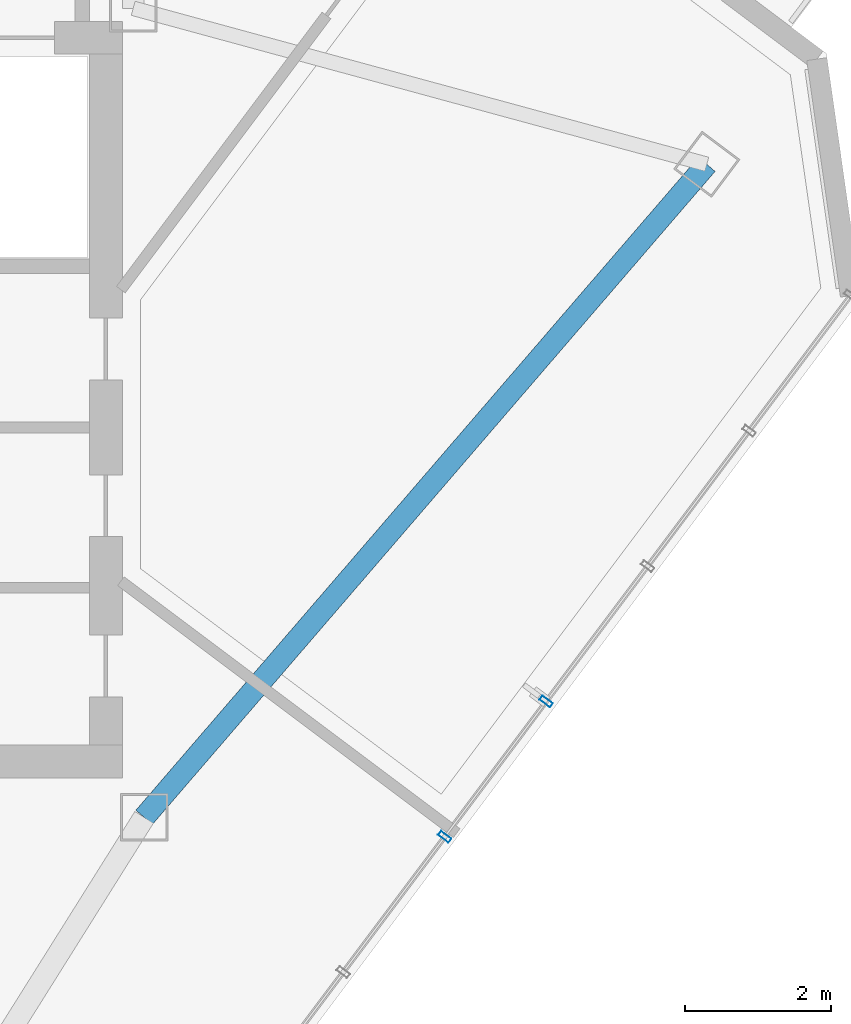
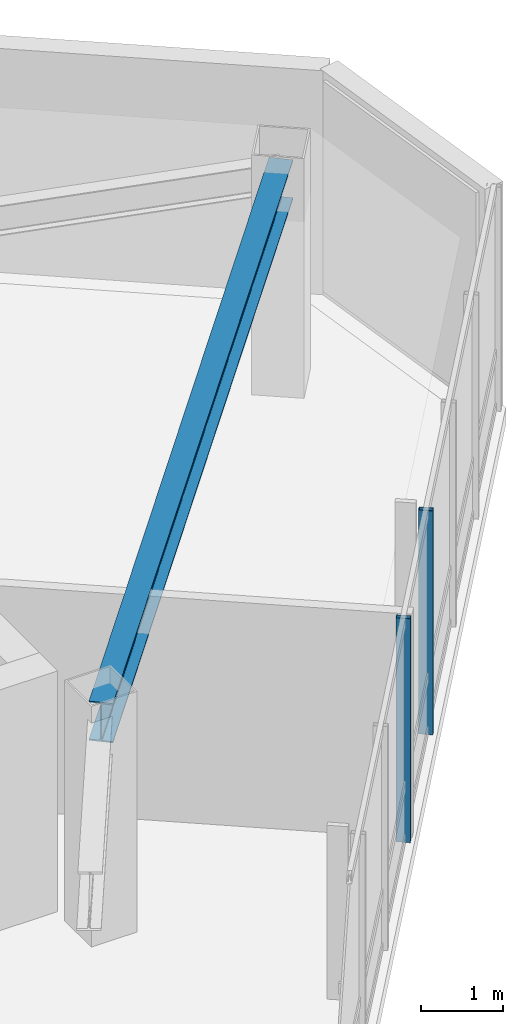
# One storey, part 7 of 22: 2 members, 1 beam, 1 element without a shape of its own.
"""IFC4 building model written with IfcOpenShell, lengths in metres."""

from ifc_helpers import new_model, si_unit, direction, frame, origin, origin_2d, place, context, subcontext, project, spatial, hollow_rectangle, i_section, extrude, material, layer, layer_set, material_profile, profile_set, type_object, element, aggregate, save


model = new_model("IFC4")

# Units and contexts
model_context = context("Model", 3, precision=1e-05, world=origin(), true_north=direction((0.0, 1.0)))
body_context = subcontext(model_context, "Body", "Model", "MODEL_VIEW")
ifc_project = project(units=[si_unit("LENGTHUNIT", "METRE"), si_unit("AREAUNIT", "SQUARE_METRE"), si_unit("VOLUMEUNIT", "CUBIC_METRE"), si_unit("PLANEANGLEUNIT", "RADIAN"), si_unit("MASSUNIT", "GRAM", prefix="KILO")], contexts=[model_context])

# Site, building, storey
site_placement = place(None, origin())
site = spatial("IfcSite", under=ifc_project, at=site_placement, CompositionType="ELEMENT")
building_placement = place(site_placement, origin())
building = spatial("IfcBuilding", under=site, at=building_placement, Name="Hatsunagi Terrace Concourse", CompositionType="ELEMENT")
storey_placement = place(building_placement, frame((0.0, 0.0, 239.550048828125)))
storey = spatial("IfcBuildingStorey", under=building, at=storey_placement, Name="L63", CompositionType="ELEMENT", Elevation=239.550048828125)

# Curtain wall, members
ifc_material_1 = material(Name="Anodised Aluminium Alloy 6063-T5", Category="aluminium")
ifc_layer = layer(ifc_material_1, 0.199951171875)
ifc_layer_set = layer_set([ifc_layer], Name="OfficeZone2_CW04")
curtain_wall_type = type_object("IfcCurtainWallType", Name="OfficeZone2_CW04", PredefinedType="NOTDEFINED", material=ifc_layer_set)
curtain_wall_placement = place(storey_placement, origin())
curtain_wall = element("IfcCurtainWall", 1, at=curtain_wall_placement, inside=storey, type_object=curtain_wall_type, Name="Unitised Curtain Wall CW-04 CW-L63-03", PredefinedType="NOTDEFINED")
ifc_material_2 = material(Name="Anodised Aluminium Alloy 6063-T5", Category="aluminium")
ifc_material_profile_1 = material_profile(ifc_material_2, hollow_rectangle(XDim=0.070068359375, YDim=0.179931640625, WallThickness=0.00390625, at=origin_2d()), Name="ALU-MUL-180x70x4")
ifc_profile_set_1 = profile_set([ifc_material_profile_1], Name="Anodised Aluminium Alloy 6063-T5")
member_type = type_object("IfcMemberType", Name="CurtainWallMullion_180x70", PredefinedType="MULLION", material=ifc_profile_set_1)
member_1_placement = place(storey_placement, frame((49.31591796875, 25.7890625, 0.0), z_axis=(0.0, 0.0, 1.0), x_axis=(-0.599969314634, -0.800023013105, 0.0)))
member_1 = element("IfcMember", 2, at=member_1_placement, type_object=member_type, Name="Curtain Wall Mullion MUL-02", PredefinedType="MULLION", context=body_context, shape_type="SweptSolid", body=[
    extrude(hollow_rectangle(XDim=0.070068359375, YDim=0.179931640625, WallThickness=0.00390625, at=origin_2d()), origin(), (0.0, 0.0, 1.0), 3.349853515625),
])
member_2_placement = place(storey_placement, frame((47.924072265625, 23.931884765625, 0.0), z_axis=(0.0, 0.0, 1.0), x_axis=(-0.599969314634, -0.800023013105, 0.0)))
member_2 = element("IfcMember", 3, at=member_2_placement, type_object=member_type, Name="Curtain Wall Mullion MUL-02", PredefinedType="MULLION", context=body_context, shape_type="SweptSolid", body=[
    extrude(hollow_rectangle(XDim=0.070068359375, YDim=0.179931640625, WallThickness=0.00390625, at=origin_2d()), origin(), (0.0, 0.0, 1.0), 3.349853515625),
])
aggregate(curtain_wall, [member_1, member_2])

# Beam
ifc_material_3 = material(Name="Steel SN490B", Category="steel")
ifc_material_profile_2 = material_profile(ifc_material_3, i_section(OverallWidth=0.300048828125, OverallDepth=0.587890625, WebThickness=0.011962890625, FlangeThickness=0.02001953125, FilletRadius=0.01806640625, at=origin_2d()), Name="H-588x300x12x20")
ifc_profile_set_2 = profile_set([ifc_material_profile_2], Name="Steel SN490B")
beam_type = type_object("IfcBeamType", Name="OfficeHighGirder_H_588x300", PredefinedType="BEAM", material=ifc_profile_set_2)
beam_placement = place(storey_placement, frame((43.800048828125, 24.199951171875, 3.055908203125), z_axis=(0.652739101421, 0.757582777969, 0.0), x_axis=(-0.757582777969, 0.652739101421, 0.0)))
element("IfcBeam", 4, at=beam_placement, inside=storey, type_object=beam_type, Name="Beam G-06 BM-L63-SET-1B", PredefinedType="BEAM", context=body_context, shape_type="SweptSolid", body=[
    extrude(i_section(OverallWidth=0.300048828125, OverallDepth=0.587890625, WebThickness=0.011962890625, FlangeThickness=0.02001953125, FilletRadius=0.01806640625, at=origin_2d()), origin(), (0.0, 0.0, 1.0), 11.8271484375),
])

save(model, "model.ifc")
